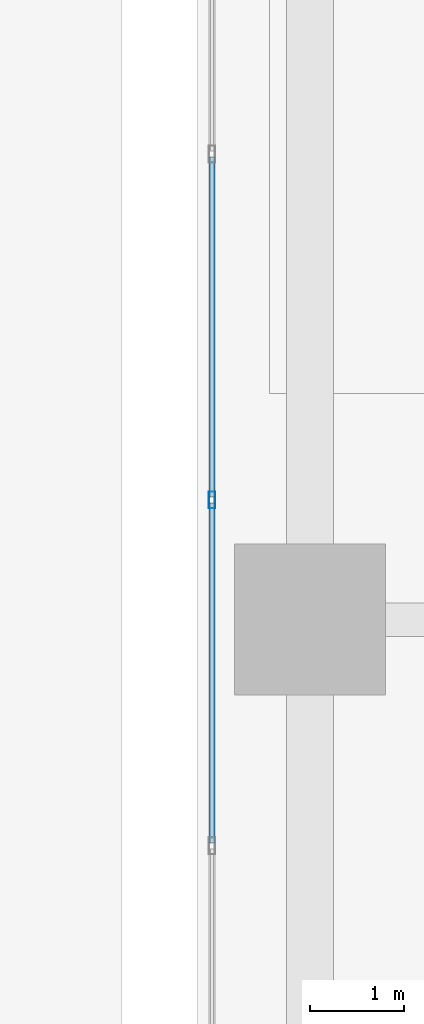
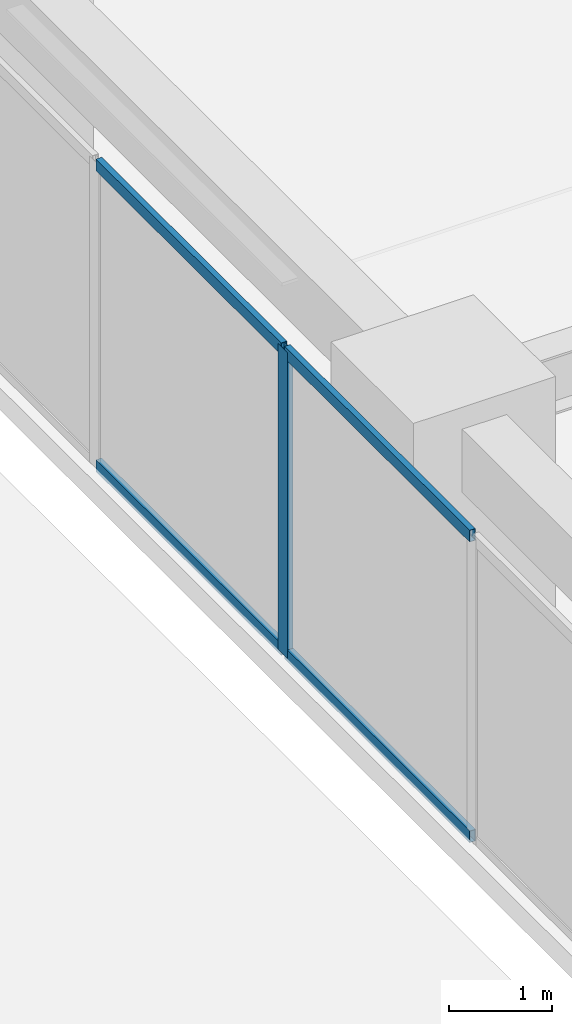
# One storey, part 4 of 38: 5 members, 1 element without a shape of its own.
"""IFC4 building model written with IfcOpenShell, lengths in metres."""

from ifc_helpers import new_model, si_unit, direction, frame, origin, origin_2d, place, context, subcontext, project, spatial, hollow_rectangle, extrude, material, layer, layer_set, material_profile, profile_set, type_object, element, aggregate, save


model = new_model("IFC4")

# Units and contexts
model_context = context("Model", 3, precision=1e-05, world=origin(), true_north=direction((0.0, 1.0)))
body_context = subcontext(model_context, "Body", "Model", "MODEL_VIEW")
ifc_project = project(units=[si_unit("LENGTHUNIT", "METRE"), si_unit("AREAUNIT", "SQUARE_METRE"), si_unit("VOLUMEUNIT", "CUBIC_METRE"), si_unit("PLANEANGLEUNIT", "RADIAN"), si_unit("MASSUNIT", "GRAM", prefix="KILO")], contexts=[model_context])

# Site, building, storey
site_placement = place(None, origin())
site = spatial("IfcSite", under=ifc_project, at=site_placement, CompositionType="ELEMENT")
building_placement = place(site_placement, origin())
building = spatial("IfcBuilding", under=site, at=building_placement, Name="Kiyonajd Concourse Tower", CompositionType="ELEMENT")
storey_placement = place(building_placement, frame((0.0, 0.0, 21.60009765625)))
storey = spatial("IfcBuildingStorey", under=building, at=storey_placement, Name="L06", CompositionType="ELEMENT", Elevation=21.60009765625)

# Curtain wall, members
ifc_material = material(Name="Thermally Broken Anodised Aluminium", Category="aluminium")
ifc_layer = layer(ifc_material, 0.179931640625)
ifc_layer_set = layer_set([ifc_layer], Name="Thermally Broken Anodised Aluminium")
curtain_wall_type = type_object("IfcCurtainWallType", Name="CW-SYS-02", PredefinedType="NOTDEFINED", material=ifc_layer_set)
curtain_wall_placement = place(storey_placement, origin())
curtain_wall = element("IfcCurtainWall", 1, at=curtain_wall_placement, inside=storey, type_object=curtain_wall_type, Name="L06 Unitised Curtain Wall CW2", PredefinedType="NOTDEFINED")
ifc_material_profile_1 = material_profile(ifc_material, hollow_rectangle(XDim=0.06494140625, YDim=0.179931640625, WallThickness=0.00390625, at=origin_2d()), Name="MULL-65x180")
ifc_profile_set_1 = profile_set([ifc_material_profile_1], Name="Thermally Broken Anodised Aluminium")
member_type_1 = type_object("IfcMemberType", Name="MB-CW-MULL1", PredefinedType="MULLION", material=ifc_profile_set_1)
member_1_placement = place(storey_placement, frame((18.159912109375, 45.66943359375, 0.0), z_axis=(0.0, 0.0, 1.0), x_axis=(-1.0, 0.0, 0.0)))
member_1 = element("IfcMember", 2, at=member_1_placement, type_object=member_type_1, Name="CW2 mullion 4", PredefinedType="MULLION", context=body_context, shape_type="SweptSolid", body=[
    extrude(hollow_rectangle(XDim=0.06494140625, YDim=0.179931640625, WallThickness=0.00390625, at=origin_2d()), origin(), (0.0, 0.0, 1.0), 3.639892578125),
])
ifc_material_profile_2 = material_profile(ifc_material, hollow_rectangle(XDim=0.06494140625, YDim=0.139892578125, WallThickness=0.00390625, at=origin_2d()), Name="TRAN-65x140")
ifc_profile_set_2 = profile_set([ifc_material_profile_2], Name="Thermally Broken Anodised Aluminium")
member_type_2 = type_object("IfcMemberType", Name="MB-CW-TRAN1", PredefinedType="USERDEFINED", material=ifc_profile_set_2)
member_2_placement = place(storey_placement, frame((18.159912109375, 42.02880859375, 0.032470703125), z_axis=(0.0, 1.0, 0.0), x_axis=(-1.0, 0.0, 0.0)))
member_2 = element("IfcMember", 3, at=member_2_placement, type_object=member_type_2, Name="CW2 transom 3.1", ObjectType="TRANSOM", PredefinedType="USERDEFINED", context=body_context, shape_type="SweptSolid", body=[
    extrude(hollow_rectangle(XDim=0.06494140625, YDim=0.139892578125, WallThickness=0.00390625, at=origin_2d()), origin(), (0.0, 0.0, 1.0), 3.608154296875),
])
member_3_placement = place(storey_placement, frame((18.159912109375, 42.02880859375, 3.607421875), z_axis=(0.0, 1.0, 0.0), x_axis=(-1.0, 0.0, 0.0)))
member_3 = element("IfcMember", 4, at=member_3_placement, type_object=member_type_2, Name="CW2 transom 3.2", ObjectType="TRANSOM", PredefinedType="USERDEFINED", context=body_context, shape_type="SweptSolid", body=[
    extrude(hollow_rectangle(XDim=0.06494140625, YDim=0.139892578125, WallThickness=0.00390625, at=origin_2d()), origin(), (0.0, 0.0, 1.0), 3.608154296875),
])
member_4_placement = place(storey_placement, frame((18.159912109375, 45.701904296875, 0.032470703125), z_axis=(0.0, 1.0, 0.0), x_axis=(-1.0, 0.0, 0.0)))
member_4 = element("IfcMember", 5, at=member_4_placement, type_object=member_type_2, Name="CW2 transom 4.1", ObjectType="TRANSOM", PredefinedType="USERDEFINED", context=body_context, shape_type="SweptSolid", body=[
    extrude(hollow_rectangle(XDim=0.06494140625, YDim=0.139892578125, WallThickness=0.00390625, at=origin_2d()), origin(), (0.0, 0.0, 1.0), 3.608154296875),
])
member_5_placement = place(storey_placement, frame((18.159912109375, 45.701904296875, 3.607421875), z_axis=(0.0, 1.0, 0.0), x_axis=(-1.0, 0.0, 0.0)))
member_5 = element("IfcMember", 6, at=member_5_placement, type_object=member_type_2, Name="CW2 transom 4.2", ObjectType="TRANSOM", PredefinedType="USERDEFINED", context=body_context, shape_type="SweptSolid", body=[
    extrude(hollow_rectangle(XDim=0.06494140625, YDim=0.139892578125, WallThickness=0.00390625, at=origin_2d()), origin(), (0.0, 0.0, 1.0), 3.608154296875),
])
aggregate(curtain_wall, [member_1, member_2, member_3, member_4, member_5])

save(model, "model.ifc")
